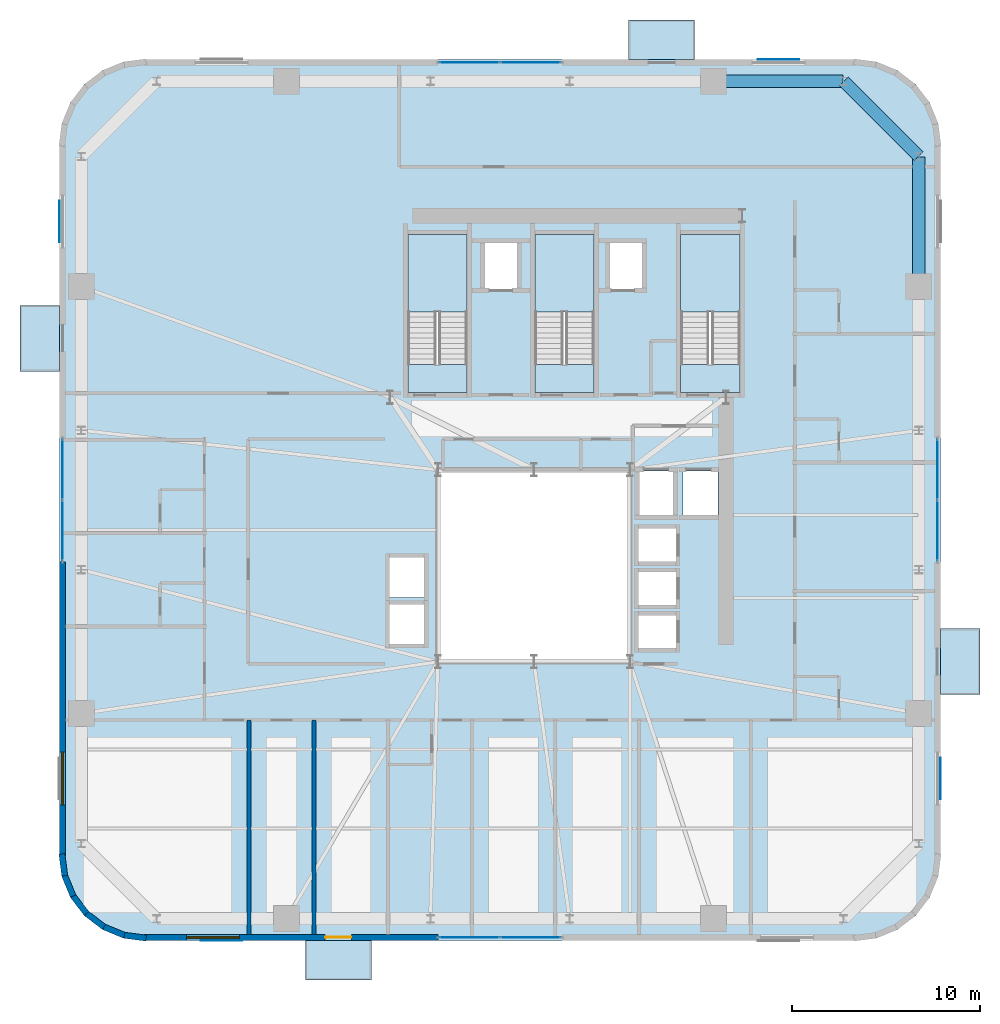
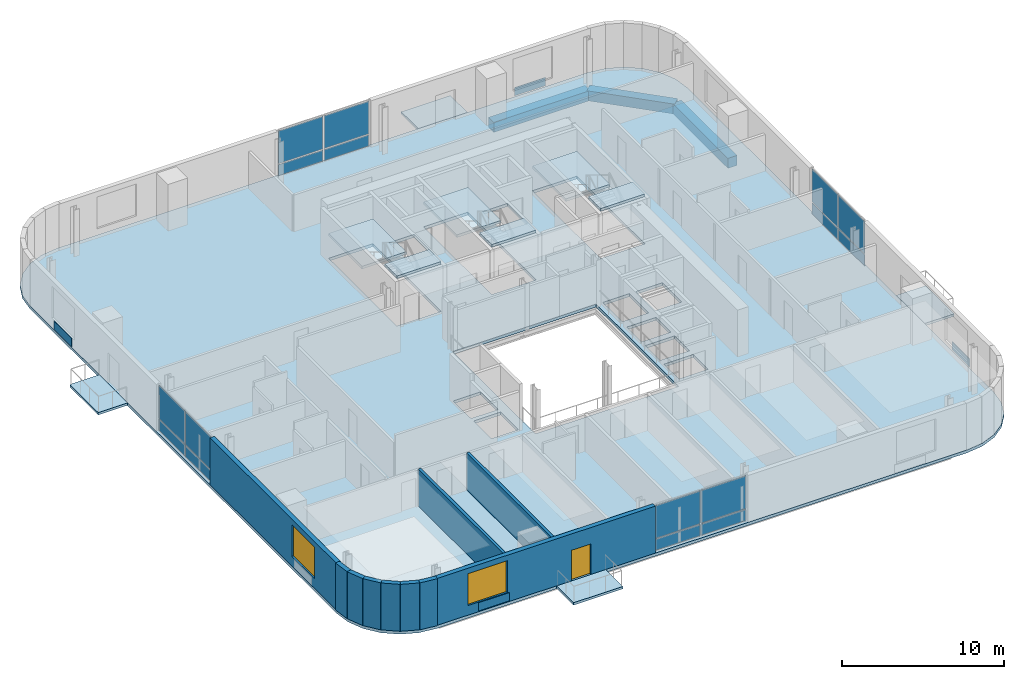
# One storey, part 7 of 16: 20 plates, 11 slabs, 10 walls, 3 beams, 2 windows, 1 door, 3 openings, 7 elements without a shape of their own.
"""IFC4 building model written with IfcOpenShell, lengths in metres."""

from ifc_helpers import new_model, si_unit, direction, frame, frame_2d, origin, origin_2d, place, context, subcontext, project, spatial, polyline, rectangle, outline, extrude, source, transform, mapped, material, layer, layer_set, material_profile, profile_set, type_object, element, fill, aggregate, save


model = new_model("IFC4")

# Units and contexts
model_context = context("Model", 3, precision=1e-05, world=origin(), true_north=direction((0.0, 1.0)))
body_context = subcontext(model_context, "Body", "Model", "MODEL_VIEW")
ifc_project = project(units=[si_unit("LENGTHUNIT", "METRE"), si_unit("AREAUNIT", "SQUARE_METRE"), si_unit("VOLUMEUNIT", "CUBIC_METRE"), si_unit("PLANEANGLEUNIT", "RADIAN"), si_unit("MASSUNIT", "GRAM", prefix="KILO")], contexts=[model_context])

# Site, building, storey
site_placement = place(None, origin())
site = spatial("IfcSite", under=ifc_project, at=site_placement, CompositionType="ELEMENT")
building_placement = place(site_placement, origin())
building = spatial("IfcBuilding", under=site, at=building_placement, Name="Vardaveli Station Tower", CompositionType="ELEMENT")
storey_placement = place(building_placement, frame((0.0, 0.0, 211.050048828125)))
storey = spatial("IfcBuildingStorey", under=building, at=storey_placement, Name="L54", CompositionType="ELEMENT", Elevation=211.050048828125)

# Beams
ifc_material_1 = material(Name="Precast concrete C45/55", Category="concrete")
ifc_material_profile = material_profile(ifc_material_1, rectangle(XDim=0.64990234375, YDim=0.75, at=origin_2d()), Name="LPB 650x750")
ifc_profile_set = profile_set([ifc_material_profile], Name="Precast concrete C45/55")
beam_type = type_object("IfcBeamType", Name="BM-LPB-750", PredefinedType="BEAM", material=ifc_profile_set)
shared_shape_1 = source(origin(), body_context, "Body", "SweptSolid", [
    extrude(rectangle(XDim=0.64990234375, YDim=0.75, at=origin_2d()), origin(), (0.0, 0.0, 1.0), 6.869873046875),
])
for number, where, z_axis, x_axis, name in (
    (1, (56.75, 36.56005859375, -0.594970703125), (0.0, 1.0, 0.0), (-1.0, 0.0, 0.0), "RBM-L54-10"),
    (2, (52.72998046875, 47.449951171875, -0.594970703125), (-1.0, 0.0, 0.0), (0.0, -1.0, 0.0), "RBM-L54-12"),
):
    element("IfcBeam", number, at=place(storey_placement, frame(where, z_axis=z_axis, x_axis=x_axis)), inside=storey, type_object=beam_type, Name=name, PredefinedType="BEAM", context=body_context, shape_type="MappedRepresentation", body=[
        mapped(shared_shape_1, transform((0.0, 0.0, 0.0), scale=1.0)),
    ])
shared_shape_2 = source(origin(), body_context, "Body", "SweptSolid", [
    extrude(rectangle(XDim=0.64990234375, YDim=0.75, at=origin_2d()), origin(), (0.0, 0.0, 1.0), 5.61669921875),
])
beam_placement = place(storey_placement, frame((56.73583984375, 43.464111328125, -0.594970703125), z_axis=(-0.707106781187, 0.707106781187, 0.0), x_axis=(-0.707106781187, -0.707106781187, 0.0)))
element("IfcBeam", 3, at=beam_placement, inside=storey, type_object=beam_type, Name="RBM-L54-11", PredefinedType="BEAM", context=body_context, shape_type="MappedRepresentation", body=[
    mapped(shared_shape_2, transform((0.0, 0.0, 0.0), scale=1.0)),
])

# Stair, slabs
ifc_material_2 = material(Name="Concrete C40/50", Category="concrete")
stair_type = type_object("IfcStairType", Name="STR-CORE-1500", PredefinedType="HALF_TURN_STAIR", material=ifc_material_2)
stair_1_placement = place(storey_placement, origin())
stair_1 = element("IfcStair", 4, at=stair_1_placement, inside=storey, type_object=stair_type, Name="L54 ST-1", PredefinedType="HALF_TURN_STAIR")
ifc_layer_1 = layer(ifc_material_2, 0.199951171875, Name="Concrete C40/50")
ifc_layer_set_1 = layer_set([ifc_layer_1], Name="Concrete C40/50")
slab_type_1 = type_object("IfcSlabType", Name="SLB-LAND-200", PredefinedType="LANDING", material=ifc_layer_set_1)
slab_1_placement = place(storey_placement, frame((0.0, 0.0, 1.675048828125)))
slab_1 = element("IfcSlab", 5, at=slab_1_placement, type_object=slab_type_1, Name="ST-1 landing 1", PredefinedType="LANDING", context=body_context, shape_type="SweptSolid", body=[
    extrude(outline(polyline([(32.75, 35.199951171875), (32.75, 39.300048828125), (29.60009765625, 39.300048828125), (29.60009765625, 35.199951171875), (32.75, 35.199951171875)])), origin(), (0.0, 0.0, 1.0), 0.199951171875),
])
slab_2_placement = place(storey_placement, frame((0.0, 0.0, 3.550048828125)))
slab_2 = element("IfcSlab", 6, at=slab_2_placement, type_object=slab_type_1, Name="ST-1 landing 2", PredefinedType="LANDING", context=body_context, shape_type="SweptSolid", body=[
    extrude(outline(polyline([(32.75, 30.89990234375), (32.75, 32.39990234375), (29.60009765625, 32.39990234375), (29.60009765625, 30.89990234375), (32.75, 30.89990234375)])), origin(), (0.0, 0.0, 1.0), 0.199951171875),
])
aggregate(stair_1, [slab_1, slab_2])

stair_2_placement = place(storey_placement, origin())
stair_2 = element("IfcStair", 7, at=stair_2_placement, inside=storey, type_object=stair_type, Name="L54 ST-2", PredefinedType="HALF_TURN_STAIR")
slab_3_placement = place(storey_placement, frame((0.0, 0.0, 1.675048828125)))
slab_3 = element("IfcSlab", 8, at=slab_3_placement, type_object=slab_type_1, Name="ST-2 landing 1", PredefinedType="LANDING", context=body_context, shape_type="SweptSolid", body=[
    extrude(outline(polyline([(39.5, 35.199951171875), (39.5, 39.300048828125), (36.35009765625, 39.300048828125), (36.35009765625, 35.199951171875), (39.5, 35.199951171875)])), origin(), (0.0, 0.0, 1.0), 0.199951171875),
])
slab_4_placement = place(storey_placement, frame((0.0, 0.0, 3.550048828125)))
slab_4 = element("IfcSlab", 9, at=slab_4_placement, type_object=slab_type_1, Name="ST-2 landing 2", PredefinedType="LANDING", context=body_context, shape_type="SweptSolid", body=[
    extrude(outline(polyline([(39.5, 30.89990234375), (39.5, 32.39990234375), (36.35009765625, 32.39990234375), (36.35009765625, 30.89990234375), (39.5, 30.89990234375)])), origin(), (0.0, 0.0, 1.0), 0.199951171875),
])
aggregate(stair_2, [slab_3, slab_4])

stair_3_placement = place(storey_placement, origin())
stair_3 = element("IfcStair", 10, at=stair_3_placement, inside=storey, type_object=stair_type, Name="L54 ST-3", PredefinedType="HALF_TURN_STAIR")
slab_5_placement = place(storey_placement, frame((0.0, 0.0, 1.675048828125)))
slab_5 = element("IfcSlab", 11, at=slab_5_placement, type_object=slab_type_1, Name="ST-3 landing 1", PredefinedType="LANDING", context=body_context, shape_type="SweptSolid", body=[
    extrude(outline(polyline([(47.25, 35.199951171875), (47.25, 39.300048828125), (44.10009765625, 39.300048828125), (44.10009765625, 35.199951171875), (47.25, 35.199951171875)])), origin(), (0.0, 0.0, 1.0), 0.199951171875),
])
slab_6_placement = place(storey_placement, frame((0.0, 0.0, 3.550048828125)))
slab_6 = element("IfcSlab", 12, at=slab_6_placement, type_object=slab_type_1, Name="ST-3 landing 2", PredefinedType="LANDING", context=body_context, shape_type="SweptSolid", body=[
    extrude(outline(polyline([(47.25, 30.89990234375), (47.25, 32.39990234375), (44.10009765625, 32.39990234375), (44.10009765625, 30.89990234375), (47.25, 30.89990234375)])), origin(), (0.0, 0.0, 1.0), 0.199951171875),
])
aggregate(stair_3, [slab_5, slab_6])

# Slabs
ifc_layer_2 = layer(ifc_material_1, 0.179931640625, Name="Precast concrete C45/55")
ifc_layer_set_2 = layer_set([ifc_layer_2], Name="Precast concrete C45/55")
slab_type_2 = type_object("IfcSlabType", Name="SLB-LOGGIA-180", PredefinedType="FLOOR", material=ifc_layer_set_2)
slab_7_placement = place(storey_placement, frame((0.0, 0.0, -0.179931640625)))
element("IfcSlab", 13, at=slab_7_placement, inside=storey, type_object=slab_type_2, Name="LOG-L54-S", PredefinedType="FLOOR", context=body_context, shape_type="SweptSolid", body=[
    extrude(outline(polyline([(24.160400390625, -0.300048828125), (27.660400390625, -0.300048828125), (27.660400390625, 1.800048828125), (24.160400390625, 1.800048828125), (24.160400390625, -0.300048828125)])), origin(), (0.0, 0.0, 1.0), 0.179931640625),
])
slab_8_placement = place(storey_placement, frame((0.0, 0.0, -0.179931640625)))
element("IfcSlab", 14, at=slab_8_placement, inside=storey, type_object=slab_type_2, Name="LOG-L54-N", PredefinedType="FLOOR", context=body_context, shape_type="SweptSolid", body=[
    extrude(outline(polyline([(41.339599609375, 48.60009765625), (44.839599609375, 48.60009765625), (44.839599609375, 50.699951171875), (41.339599609375, 50.699951171875), (41.339599609375, 48.60009765625)])), origin(), (0.0, 0.0, 1.0), 0.179931640625),
])
slab_9_placement = place(storey_placement, frame((0.0, 0.0, -0.179931640625)))
element("IfcSlab", 15, at=slab_9_placement, inside=storey, type_object=slab_type_2, Name="LOG-L54-W", PredefinedType="FLOOR", context=body_context, shape_type="SweptSolid", body=[
    extrude(outline(polyline([(9.0, 32.03955078125), (11.10009765625, 32.03955078125), (11.10009765625, 35.53955078125), (9.0, 35.53955078125), (9.0, 32.03955078125)])), origin(), (0.0, 0.0, 1.0), 0.179931640625),
])
slab_10_placement = place(storey_placement, frame((0.0, 0.0, -0.179931640625)))
element("IfcSlab", 16, at=slab_10_placement, inside=storey, type_object=slab_type_2, Name="LOG-L54-E", PredefinedType="FLOOR", context=body_context, shape_type="SweptSolid", body=[
    extrude(outline(polyline([(57.89990234375, 14.8603515625), (60.0, 14.8603515625), (60.0, 18.3603515625), (57.89990234375, 18.3603515625), (57.89990234375, 14.8603515625)])), origin(), (0.0, 0.0, 1.0), 0.179931640625),
])
ifc_layer_3 = layer(ifc_material_2, 0.219970703125, Name="Concrete C40/50")
ifc_layer_set_3 = layer_set([ifc_layer_3], Name="Concrete C40/50")
slab_type_3 = type_object("IfcSlabType", Name="SLB-TOW-220", PredefinedType="FLOOR", material=ifc_layer_set_3)
slab_11_placement = place(storey_placement, frame((0.0, 0.0, -0.219970703125)))
element("IfcSlab", 17, at=slab_11_placement, inside=storey, type_object=slab_type_3, Name="SLB-L54-MAIN", PredefinedType="FLOOR", context=body_context, shape_type="SweptSolid", body=[
    extrude(outline(polyline([(11.10009765625, 6.300048828125), (11.25341796875, 5.13525390625), (11.702880859375, 4.050048828125), (12.41796875, 3.117919921875), (13.35009765625, 2.40283203125), (14.435302734375, 1.953369140625), (15.60009765625, 1.800048828125), (53.39990234375, 1.800048828125), (54.564697265625, 1.953369140625), (55.64990234375, 2.40283203125), (56.58203125, 3.117919921875), (57.297119140625, 4.050048828125), (57.74658203125, 5.13525390625), (57.89990234375, 6.300048828125), (57.89990234375, 44.10009765625), (57.74658203125, 45.2646484375), (57.297119140625, 46.35009765625), (56.58203125, 47.281982421875), (55.64990234375, 47.9970703125), (54.564697265625, 48.44677734375), (53.39990234375, 48.60009765625), (15.60009765625, 48.60009765625), (14.435302734375, 48.44677734375), (13.35009765625, 47.9970703125), (12.41796875, 47.281982421875), (11.702880859375, 46.35009765625), (11.25341796875, 45.2646484375), (11.10009765625, 44.10009765625), (11.10009765625, 6.300048828125)]), holes=[polyline([(31.199951171875, 16.60009765625), (41.39990234375, 16.60009765625), (41.39990234375, 26.800048828125), (31.199951171875, 26.800048828125), (31.199951171875, 16.60009765625)]), polyline([(32.75, 30.89990234375), (32.75, 39.300048828125), (29.60009765625, 39.300048828125), (29.60009765625, 30.89990234375), (32.75, 30.89990234375)]), polyline([(39.5, 30.89990234375), (39.5, 39.300048828125), (36.35009765625, 39.300048828125), (36.35009765625, 30.89990234375), (39.5, 30.89990234375)]), polyline([(47.25, 30.89990234375), (47.25, 39.300048828125), (44.10009765625, 39.300048828125), (44.10009765625, 30.89990234375), (47.25, 30.89990234375)]), polyline([(33.659912109375, 36.409912109375), (35.43994140625, 36.409912109375), (35.43994140625, 38.889892578125), (33.659912109375, 38.889892578125), (33.659912109375, 36.409912109375)]), polyline([(40.31005859375, 36.409912109375), (42.090087890625, 36.409912109375), (42.090087890625, 38.889892578125), (40.31005859375, 38.889892578125), (40.31005859375, 36.409912109375)]), polyline([(41.81005859375, 21.885009765625), (43.889892578125, 21.885009765625), (43.889892578125, 23.715087890625), (41.81005859375, 23.715087890625), (41.81005859375, 21.885009765625)]), polyline([(41.81005859375, 19.5849609375), (43.889892578125, 19.5849609375), (43.889892578125, 21.4150390625), (41.81005859375, 21.4150390625), (41.81005859375, 19.5849609375)]), polyline([(41.81005859375, 17.284912109375), (43.889892578125, 17.284912109375), (43.889892578125, 19.114990234375), (41.81005859375, 19.114990234375), (41.81005859375, 17.284912109375)]), polyline([(28.5849609375, 17.510009765625), (30.514892578125, 17.510009765625), (30.514892578125, 19.68994140625), (28.5849609375, 19.68994140625), (28.5849609375, 17.510009765625)]), polyline([(28.5849609375, 20.010009765625), (30.514892578125, 20.010009765625), (30.514892578125, 22.18994140625), (28.5849609375, 22.18994140625), (28.5849609375, 20.010009765625)]), polyline([(41.860107421875, 24.360107421875), (43.739990234375, 24.360107421875), (43.739990234375, 26.739990234375), (41.860107421875, 26.739990234375), (41.860107421875, 24.360107421875)]), polyline([(44.2099609375, 24.360107421875), (46.090087890625, 24.360107421875), (46.090087890625, 26.739990234375), (44.2099609375, 26.739990234375), (44.2099609375, 24.360107421875)])]), origin(), (0.0, 0.0, 1.0), 0.219970703125),
])

# Plates
ifc_material_3 = material(Name="Honed Caucasian travertine stone", Category="masonry")
ifc_layer_4 = layer(ifc_material_3, 0.034912109375, Name="Honed Caucasian travertine stone")
ifc_layer_set_4 = layer_set([ifc_layer_4], Name="Honed Caucasian travertine stone")
plate_type_1 = type_object("IfcPlateType", Name="PLT-TRAV-35", PredefinedType="SHEET", material=ifc_layer_set_4)
shared_shape_3 = source(origin(), body_context, "Body", "SweptSolid", [
    extrude(rectangle(XDim=2.199951171875, YDim=0.034912109375, at=origin_2d()), origin(), (0.0, 0.0, 1.0), 0.6201171875),
])
for number, where, z_axis, x_axis, name in (
    (18, (19.705078125, 1.79052734375, 0.06982421875), (0.0, 0.0, 1.0), (1.0, 0.0, 0.0), "PLT-TR-L54-S"),
    (19, (49.294921875, 48.609619140625, 0.06982421875), (0.0, 0.0, 1.0), (1.0, 0.0, 0.0), "PLT-TR-L54-N"),
    (20, (11.090576171875, 39.9951171875, 0.06982421875), (0.0, 0.0, 1.0), (0.0, 1.0, 0.0), "PLT-TR-L54-W"),
    (21, (57.909423828125, 10.405029296875, 0.06982421875), (0.0, 0.0, 1.0), (0.0, 1.0, 0.0), "PLT-TR-L54-E"),
):
    element("IfcPlate", number, at=place(storey_placement, frame(where, z_axis=z_axis, x_axis=x_axis)), inside=storey, type_object=plate_type_1, Name=name, PredefinedType="SHEET", context=body_context, shape_type="MappedRepresentation", body=[
        mapped(shared_shape_3, transform((0.0, 0.0, 0.0), scale=1.0)),
    ])

# Curtain wall, plates
ifc_material_4 = material(Name="Travertine stone and solar-control glass", Category="masonry")
curtain_wall_type = type_object("IfcCurtainWallType", Name="CW-SYS-5", PredefinedType="NOTDEFINED", material=ifc_material_4)
curtain_wall_1_placement = place(storey_placement, origin())
curtain_wall_1 = element("IfcCurtainWall", 22, at=curtain_wall_1_placement, inside=storey, type_object=curtain_wall_type, Name="CW-L54-S", PredefinedType="NOTDEFINED")
ifc_material_5 = material(Name="Double-glazed low-E solar-control glass", Category="glass")
ifc_layer_5 = layer(ifc_material_5, 0.031982421875, Name="Double-glazed low-E solar-control glass")
ifc_layer_set_5 = layer_set([ifc_layer_5], Name="Double-glazed low-E solar-control glass")
plate_type_2 = type_object("IfcPlateType", Name="CW-SYS-5-PAN", PredefinedType="CURTAIN_PANEL", material=ifc_layer_set_5)
shared_shape_4 = source(origin(), body_context, "Body", "SweptSolid", [
    extrude(rectangle(XDim=3.179931640625, YDim=0.031982421875, at=origin_2d()), origin(), (0.0, 0.0, 1.0), 0.830078125),
])
plate_1_placement = place(storey_placement, frame((32.8701171875, 1.9599609375, 0.079833984375), z_axis=(0.0, 0.0, 1.0), x_axis=(1.0, 0.0, 0.0)))
plate_1 = element("IfcPlate", 23, at=plate_1_placement, type_object=plate_type_2, Name="CW-5 panel 1.1", PredefinedType="CURTAIN_PANEL", context=body_context, shape_type="MappedRepresentation", body=[
    mapped(shared_shape_4, transform((0.0, 0.0, 0.0), scale=1.0)),
])
plate_2_placement = place(storey_placement, frame((36.1298828125, 1.9599609375, 0.079833984375), z_axis=(0.0, 0.0, 1.0), x_axis=(1.0, 0.0, 0.0)))
plate_2 = element("IfcPlate", 24, at=plate_2_placement, type_object=plate_type_2, Name="CW-5 panel 2.1", PredefinedType="CURTAIN_PANEL", context=body_context, shape_type="MappedRepresentation", body=[
    mapped(shared_shape_4, transform((0.0, 0.0, 0.0), scale=1.0)),
])

curtain_wall_2_placement = place(storey_placement, origin())
curtain_wall_2 = element("IfcCurtainWall", 25, at=curtain_wall_2_placement, inside=storey, type_object=curtain_wall_type, Name="CW-L54-N", PredefinedType="NOTDEFINED")
plate_3_placement = place(storey_placement, frame((36.1298828125, 48.43994140625, 0.079833984375), z_axis=(0.0, 0.0, 1.0), x_axis=(-1.0, 0.0, 0.0)))
plate_3 = element("IfcPlate", 26, at=plate_3_placement, type_object=plate_type_2, Name="CW-5 panel 1.1", PredefinedType="CURTAIN_PANEL", context=body_context, shape_type="MappedRepresentation", body=[
    mapped(shared_shape_4, transform((0.0, 0.0, 0.0), scale=1.0)),
])
plate_4_placement = place(storey_placement, frame((32.8701171875, 48.43994140625, 0.079833984375), z_axis=(0.0, 0.0, 1.0), x_axis=(-1.0, 0.0, 0.0)))
plate_4 = element("IfcPlate", 27, at=plate_4_placement, type_object=plate_type_2, Name="CW-5 panel 2.1", PredefinedType="CURTAIN_PANEL", context=body_context, shape_type="MappedRepresentation", body=[
    mapped(shared_shape_4, transform((0.0, 0.0, 0.0), scale=1.0)),
])

curtain_wall_3_placement = place(storey_placement, origin())
curtain_wall_3 = element("IfcCurtainWall", 28, at=curtain_wall_3_placement, inside=storey, type_object=curtain_wall_type, Name="CW-L54-W", PredefinedType="NOTDEFINED")
plate_5_placement = place(storey_placement, frame((11.260009765625, 26.830078125, 0.079833984375), z_axis=(0.0, 0.0, 1.0), x_axis=(0.0, -1.0, 0.0)))
plate_5 = element("IfcPlate", 29, at=plate_5_placement, type_object=plate_type_2, Name="CW-5 panel 1.1", PredefinedType="CURTAIN_PANEL", context=body_context, shape_type="MappedRepresentation", body=[
    mapped(shared_shape_4, transform((0.0, 0.0, 0.0), scale=1.0)),
])
plate_6_placement = place(storey_placement, frame((11.260009765625, 23.570068359375, 0.079833984375), z_axis=(0.0, 0.0, 1.0), x_axis=(0.0, -1.0, 0.0)))
plate_6 = element("IfcPlate", 30, at=plate_6_placement, type_object=plate_type_2, Name="CW-5 panel 2.1", PredefinedType="CURTAIN_PANEL", context=body_context, shape_type="MappedRepresentation", body=[
    mapped(shared_shape_4, transform((0.0, 0.0, 0.0), scale=1.0)),
])

curtain_wall_4_placement = place(storey_placement, origin())
curtain_wall_4 = element("IfcCurtainWall", 31, at=curtain_wall_4_placement, inside=storey, type_object=curtain_wall_type, Name="CW-L54-E", PredefinedType="NOTDEFINED")
plate_7_placement = place(storey_placement, frame((57.739990234375, 23.570068359375, 0.079833984375), z_axis=(0.0, 0.0, 1.0), x_axis=(0.0, 1.0, 0.0)))
plate_7 = element("IfcPlate", 32, at=plate_7_placement, type_object=plate_type_2, Name="CW-5 panel 1.1", PredefinedType="CURTAIN_PANEL", context=body_context, shape_type="MappedRepresentation", body=[
    mapped(shared_shape_4, transform((0.0, 0.0, 0.0), scale=1.0)),
])
plate_8_placement = place(storey_placement, frame((57.739990234375, 26.830078125, 0.079833984375), z_axis=(0.0, 0.0, 1.0), x_axis=(0.0, 1.0, 0.0)))
plate_8 = element("IfcPlate", 33, at=plate_8_placement, type_object=plate_type_2, Name="CW-5 panel 2.1", PredefinedType="CURTAIN_PANEL", context=body_context, shape_type="MappedRepresentation", body=[
    mapped(shared_shape_4, transform((0.0, 0.0, 0.0), scale=1.0)),
])

# Plate
shared_shape_5 = source(origin(), body_context, "Body", "SweptSolid", [
    extrude(rectangle(XDim=3.179931640625, YDim=0.031982421875, at=origin_2d()), origin(), (0.0, 0.0, 1.0), 2.4599609375),
])
plate_9_placement = place(storey_placement, frame((32.8701171875, 1.9599609375, 0.989990234375), z_axis=(0.0, 0.0, 1.0), x_axis=(1.0, 0.0, 0.0)))
plate_9 = element("IfcPlate", 34, at=plate_9_placement, type_object=plate_type_2, Name="CW-5 panel 1.2", PredefinedType="CURTAIN_PANEL", context=body_context, shape_type="MappedRepresentation", body=[
    mapped(shared_shape_5, transform((0.0, 0.0, 0.0), scale=1.0)),
])

plate_10_placement = place(storey_placement, frame((36.1298828125, 1.9599609375, 0.989990234375), z_axis=(0.0, 0.0, 1.0), x_axis=(1.0, 0.0, 0.0)))
plate_10 = element("IfcPlate", 35, at=plate_10_placement, type_object=plate_type_2, Name="CW-5 panel 2.2", PredefinedType="CURTAIN_PANEL", context=body_context, shape_type="MappedRepresentation", body=[
    mapped(shared_shape_5, transform((0.0, 0.0, 0.0), scale=1.0)),
])

aggregate(curtain_wall_1, [plate_1, plate_9, plate_2, plate_10])

plate_11_placement = place(storey_placement, frame((36.1298828125, 48.43994140625, 0.989990234375), z_axis=(0.0, 0.0, 1.0), x_axis=(-1.0, 0.0, 0.0)))
plate_11 = element("IfcPlate", 36, at=plate_11_placement, type_object=plate_type_2, Name="CW-5 panel 1.2", PredefinedType="CURTAIN_PANEL", context=body_context, shape_type="MappedRepresentation", body=[
    mapped(shared_shape_5, transform((0.0, 0.0, 0.0), scale=1.0)),
])

plate_12_placement = place(storey_placement, frame((32.8701171875, 48.43994140625, 0.989990234375), z_axis=(0.0, 0.0, 1.0), x_axis=(-1.0, 0.0, 0.0)))
plate_12 = element("IfcPlate", 37, at=plate_12_placement, type_object=plate_type_2, Name="CW-5 panel 2.2", PredefinedType="CURTAIN_PANEL", context=body_context, shape_type="MappedRepresentation", body=[
    mapped(shared_shape_5, transform((0.0, 0.0, 0.0), scale=1.0)),
])

aggregate(curtain_wall_2, [plate_3, plate_11, plate_4, plate_12])

plate_13_placement = place(storey_placement, frame((11.260009765625, 26.830078125, 0.989990234375), z_axis=(0.0, 0.0, 1.0), x_axis=(0.0, -1.0, 0.0)))
plate_13 = element("IfcPlate", 38, at=plate_13_placement, type_object=plate_type_2, Name="CW-5 panel 1.2", PredefinedType="CURTAIN_PANEL", context=body_context, shape_type="MappedRepresentation", body=[
    mapped(shared_shape_5, transform((0.0, 0.0, 0.0), scale=1.0)),
])

plate_14_placement = place(storey_placement, frame((11.260009765625, 23.570068359375, 0.989990234375), z_axis=(0.0, 0.0, 1.0), x_axis=(0.0, -1.0, 0.0)))
plate_14 = element("IfcPlate", 39, at=plate_14_placement, type_object=plate_type_2, Name="CW-5 panel 2.2", PredefinedType="CURTAIN_PANEL", context=body_context, shape_type="MappedRepresentation", body=[
    mapped(shared_shape_5, transform((0.0, 0.0, 0.0), scale=1.0)),
])

aggregate(curtain_wall_3, [plate_5, plate_13, plate_6, plate_14])

plate_15_placement = place(storey_placement, frame((57.739990234375, 23.570068359375, 0.989990234375), z_axis=(0.0, 0.0, 1.0), x_axis=(0.0, 1.0, 0.0)))
plate_15 = element("IfcPlate", 40, at=plate_15_placement, type_object=plate_type_2, Name="CW-5 panel 1.2", PredefinedType="CURTAIN_PANEL", context=body_context, shape_type="MappedRepresentation", body=[
    mapped(shared_shape_5, transform((0.0, 0.0, 0.0), scale=1.0)),
])

plate_16_placement = place(storey_placement, frame((57.739990234375, 26.830078125, 0.989990234375), z_axis=(0.0, 0.0, 1.0), x_axis=(0.0, 1.0, 0.0)))
plate_16 = element("IfcPlate", 41, at=plate_16_placement, type_object=plate_type_2, Name="CW-5 panel 2.2", PredefinedType="CURTAIN_PANEL", context=body_context, shape_type="MappedRepresentation", body=[
    mapped(shared_shape_5, transform((0.0, 0.0, 0.0), scale=1.0)),
])

aggregate(curtain_wall_4, [plate_7, plate_15, plate_8, plate_16])

# Wall, openings, door, window
ifc_layer_6 = layer(ifc_material_1, 0.320068359375, Name="Precast concrete C45/55")
ifc_layer_set_6 = layer_set([ifc_layer_6], Name="Precast concrete C45/55")
wall_type_1 = type_object("IfcWallType", Name="WAL-EXT-STONE-320", PredefinedType="SOLIDWALL", material=ifc_layer_set_6)
shared_shape_6 = source(origin(), body_context, "Body", "SweptSolid", [
    extrude(rectangle(XDim=15.599853515625, YDim=0.320068359375, at=frame_2d((7.7998046875, 0.0))), origin(), (0.0, 0.0, 1.0), 3.530029296875),
])
wall_1_placement = place(storey_placement, frame((15.60009765625, 1.9599609375, 0.0), z_axis=(0.0, 0.0, 1.0), x_axis=(1.0, 0.0, 0.0)))
wall_1 = element("IfcWall", 42, at=wall_1_placement, inside=storey, type_object=wall_type_1, Name="EW-L54-S1", PredefinedType="SOLIDWALL", context=body_context, shape_type="MappedRepresentation", body=[
    mapped(shared_shape_6, transform((0.0, 0.0, 0.0), scale=1.0)),
])
shared_shape_7 = source(origin(), body_context, "Body", "SweptSolid", [
    extrude(rectangle(XDim=1.39990234375, YDim=2.300048828125, at=frame_2d((0.699951171875, 1.14990234375))), frame((0.0, 0.169921875, 0.0), z_axis=(0.0, -1.0, 0.0), x_axis=(1.0, 0.0, 0.0)), (0.0, 0.0, 1.0), 0.340087890625),
])
opening_1_placement = place(wall_1_placement, frame((9.6103515625, 0.0, 0.0)))
opening_1 = element("IfcOpeningElement", 43, at=opening_1_placement, cuts=wall_1, Name="Opening D-09", PredefinedType="OPENING", context=body_context, shape_type="MappedRepresentation", body=[
    mapped(shared_shape_7, transform((0.0, 0.0, 0.0), scale=1.0)),
])
shared_shape_8 = source(origin(), body_context, "Body", "SweptSolid", [
    extrude(rectangle(XDim=2.800048828125, YDim=2.39990234375, at=frame_2d((1.39990234375, 1.199951171875))), frame((0.0, 0.169921875, 0.0), z_axis=(0.0, -1.0, 0.0), x_axis=(1.0, 0.0, 0.0)), (0.0, 0.0, 1.0), 0.340087890625),
])
opening_2_placement = place(wall_1_placement, frame((2.2548828125, 0.0, 0.719970703125)))
opening_2 = element("IfcOpeningElement", 44, at=opening_2_placement, cuts=wall_1, Name="Opening W-04", PredefinedType="OPENING", context=body_context, shape_type="MappedRepresentation", body=[
    mapped(shared_shape_8, transform((0.0, 0.0, 0.0), scale=1.0)),
])
ifc_material_6 = material(Name="Thermally broken aluminium glass", Category="aluminium")
door_type = type_object("IfcDoorType", Name="DR-LOG-1400x2300", OperationType="DOUBLE_DOOR_SLIDING", PredefinedType="DOOR", material=ifc_material_6)
shared_shape_9 = source(origin(), body_context, "Body", "SweptSolid", [
    extrude(rectangle(XDim=1.39990234375, YDim=2.300048828125, at=frame_2d((0.699951171875, 1.14990234375))), frame((0.0, 0.02490234375, 0.0), z_axis=(0.0, -1.0, 0.0), x_axis=(1.0, 0.0, 0.0)), (0.0, 0.0, 1.0), 0.050048828125),
])
door_placement = place(opening_1_placement, frame((1.39990234375, 0.0, 0.0), z_axis=(0.0, 0.0, 1.0), x_axis=(-1.0, 0.0, 0.0)))
door = element("IfcDoor", 45, at=door_placement, inside=storey, type_object=door_type, Name="DLG-L54-S", OperationType="DOUBLE_DOOR_SLIDING", OverallHeight=2.300048828125, OverallWidth=1.39990234375, PredefinedType="DOOR", context=body_context, shape_type="MappedRepresentation", body=[
    mapped(shared_shape_9, transform((0.0, 0.0, 0.0), scale=1.0)),
])
fill(opening_1, door)
ifc_material_7 = material(Name="Low-E solar-control glass", Category="glass")
window_type = type_object("IfcWindowType", Name="WIN-SUITE-2800x2400", PartitioningType="SINGLE_PANEL", PredefinedType="WINDOW", material=ifc_material_7)
shared_shape_10 = source(origin(), body_context, "Body", "SweptSolid", [
    extrude(rectangle(XDim=2.800048828125, YDim=2.39990234375, at=frame_2d((1.39990234375, 1.199951171875))), frame((0.0, 0.030029296875, 0.0), z_axis=(0.0, -1.0, 0.0), x_axis=(1.0, 0.0, 0.0)), (0.0, 0.0, 1.0), 0.06005859375),
])
window_1_placement = place(opening_2_placement, origin())
window_1 = element("IfcWindow", 46, at=window_1_placement, inside=storey, type_object=window_type, Name="WN-L54-S1", OverallHeight=2.39990234375, OverallWidth=2.800048828125, PartitioningType="SINGLE_PANEL", PredefinedType="WINDOW", context=body_context, shape_type="MappedRepresentation", body=[
    mapped(shared_shape_10, transform((0.0, 0.0, 0.0), scale=1.0)),
])
fill(opening_2, window_1)

# Wall, opening, window
wall_2_placement = place(storey_placement, frame((11.260009765625, 21.89990234375, 0.0), z_axis=(0.0, 0.0, 1.0), x_axis=(0.0, -1.0, 0.0)))
wall_2 = element("IfcWall", 47, at=wall_2_placement, inside=storey, type_object=wall_type_1, Name="EW-L54-W2", PredefinedType="SOLIDWALL", context=body_context, shape_type="MappedRepresentation", body=[
    mapped(shared_shape_6, transform((0.0, 0.0, 0.0), scale=1.0)),
])
opening_3_placement = place(wall_2_placement, frame((10.094970703125, 0.0, 0.719970703125)))
opening_3 = element("IfcOpeningElement", 48, at=opening_3_placement, cuts=wall_2, Name="Opening W-04", PredefinedType="OPENING", context=body_context, shape_type="MappedRepresentation", body=[
    mapped(shared_shape_8, transform((0.0, 0.0, 0.0), scale=1.0)),
])
window_2_placement = place(opening_3_placement, origin())
window_2 = element("IfcWindow", 49, at=window_2_placement, inside=storey, type_object=window_type, Name="WN-L54-W2", OverallHeight=2.39990234375, OverallWidth=2.800048828125, PartitioningType="SINGLE_PANEL", PredefinedType="WINDOW", context=body_context, shape_type="MappedRepresentation", body=[
    mapped(shared_shape_10, transform((0.0, 0.0, 0.0), scale=1.0)),
])
fill(opening_3, window_2)

# Walls
shared_shape_11 = source(origin(), body_context, "Body", "SweptSolid", [
    extrude(rectangle(XDim=1.170654296875, YDim=0.320068359375, at=frame_2d((0.58544921875, 0.0))), origin(), (0.0, 0.0, 1.0), 3.530029296875),
])
wall_3_placement = place(storey_placement, frame((11.224365234375, 6.400634765625, 0.0), z_axis=(0.0, 0.0, 1.0), x_axis=(0.128269133229, -0.991739395941, 0.0)))
element("IfcWall", 50, at=wall_3_placement, inside=storey, type_object=wall_type_1, Name="EW-L54-CR1-1", PredefinedType="SOLIDWALL", context=body_context, shape_type="MappedRepresentation", body=[
    mapped(shared_shape_11, transform((0.0, 0.0, 0.0), scale=1.0)),
])
shared_shape_12 = source(origin(), body_context, "Body", "SweptSolid", [
    extrude(rectangle(XDim=1.1689453125, YDim=0.320068359375, at=frame_2d((0.58447265625, 0.0))), origin(), (0.0, 0.0, 1.0), 3.530029296875),
])
for number, where, z_axis, x_axis, name in (
    (51, (11.37451171875, 5.23974609375, 0.0), (0.0, 0.0, 1.0), (0.381127904695, -0.924522320046, 0.0), "EW-L54-CR1-2"),
    (52, (11.820068359375, 4.158935546875, 0.0), (0.0, 0.0, 1.0), (0.608387696831, -0.793639975269, 0.0), "EW-L54-CR1-3"),
):
    element("IfcWall", number, at=place(storey_placement, frame(where, z_axis=z_axis, x_axis=x_axis)), inside=storey, type_object=wall_type_1, Name=name, PredefinedType="SOLIDWALL", context=body_context, shape_type="MappedRepresentation", body=[
        mapped(shared_shape_12, transform((0.0, 0.0, 0.0), scale=1.0)),
    ])
shared_shape_13 = source(origin(), body_context, "Body", "SweptSolid", [
    extrude(rectangle(XDim=1.168701171875, YDim=0.320068359375, at=frame_2d((0.58447265625, 0.0))), origin(), (0.0, 0.0, 1.0), 3.530029296875),
])
wall_4_placement = place(storey_placement, frame((12.53125, 3.231201171875, 0.0), z_axis=(0.0, 0.0, 1.0), x_axis=(0.793663520347, -0.608356981114, 0.0)))
element("IfcWall", 53, at=wall_4_placement, inside=storey, type_object=wall_type_1, Name="EW-L54-CR1-4", PredefinedType="SOLIDWALL", context=body_context, shape_type="MappedRepresentation", body=[
    mapped(shared_shape_13, transform((0.0, 0.0, 0.0), scale=1.0)),
])
shared_shape_14 = source(origin(), body_context, "Body", "SweptSolid", [
    extrude(rectangle(XDim=1.16943359375, YDim=0.320068359375, at=frame_2d((0.584716796875, 0.0))), origin(), (0.0, 0.0, 1.0), 3.530029296875),
])
wall_5_placement = place(storey_placement, frame((13.458740234375, 2.520263671875, 0.0), z_axis=(0.0, 0.0, 1.0), x_axis=(0.924479075121, -0.381232789334, 0.0)))
element("IfcWall", 54, at=wall_5_placement, inside=storey, type_object=wall_type_1, Name="EW-L54-CR1-5", PredefinedType="SOLIDWALL", context=body_context, shape_type="MappedRepresentation", body=[
    mapped(shared_shape_14, transform((0.0, 0.0, 0.0), scale=1.0)),
])
shared_shape_15 = source(origin(), body_context, "Body", "SweptSolid", [
    extrude(rectangle(XDim=1.170166015625, YDim=0.320068359375, at=frame_2d((0.5849609375, 0.0))), origin(), (0.0, 0.0, 1.0), 3.530029296875),
])
wall_6_placement = place(storey_placement, frame((14.539794921875, 2.074462890625, 0.0), z_axis=(0.0, 0.0, 1.0), x_axis=(0.991762485493, -0.128090485085, 0.0)))
element("IfcWall", 55, at=wall_6_placement, inside=storey, type_object=wall_type_1, Name="EW-L54-CR1-6", PredefinedType="SOLIDWALL", context=body_context, shape_type="MappedRepresentation", body=[
    mapped(shared_shape_15, transform((0.0, 0.0, 0.0), scale=1.0)),
])
ifc_material_8 = material(Name="Acoustic twin-stud gypsum partition")
ifc_layer_7 = layer(ifc_material_8, 0.199951171875, Name="Acoustic twin-stud gypsum partition")
ifc_layer_set_7 = layer_set([ifc_layer_7], Name="Acoustic twin-stud gypsum partition")
wall_type_2 = type_object("IfcWallType", Name="WAL-PARTY-200", PredefinedType="PARTITIONING", material=ifc_layer_set_7)
shared_shape_16 = source(origin(), body_context, "Body", "SweptSolid", [
    extrude(rectangle(XDim=11.387939453125, YDim=0.199951171875, at=frame_2d((5.69384765625, 0.0))), origin(), (0.0, 0.0, 1.0), 2.77197265625),
])
for number, where, z_axis, x_axis, name in (
    (56, (21.169921875, 2.1220703125, 0.0), (0.0, 0.0, 1.0), (0.0, 1.0, 0.0), "W-L54-PS1"),
    (57, (24.6201171875, 2.1220703125, 0.0), (0.0, 0.0, 1.0), (0.0, 1.0, 0.0), "W-L54-PS2"),
):
    element("IfcWall", number, at=place(storey_placement, frame(where, z_axis=z_axis, x_axis=x_axis)), inside=storey, type_object=wall_type_2, Name=name, PredefinedType="PARTITIONING", context=body_context, shape_type="MappedRepresentation", body=[
        mapped(shared_shape_16, transform((0.0, 0.0, 0.0), scale=1.0)),
    ])

save(model, "model.ifc")
